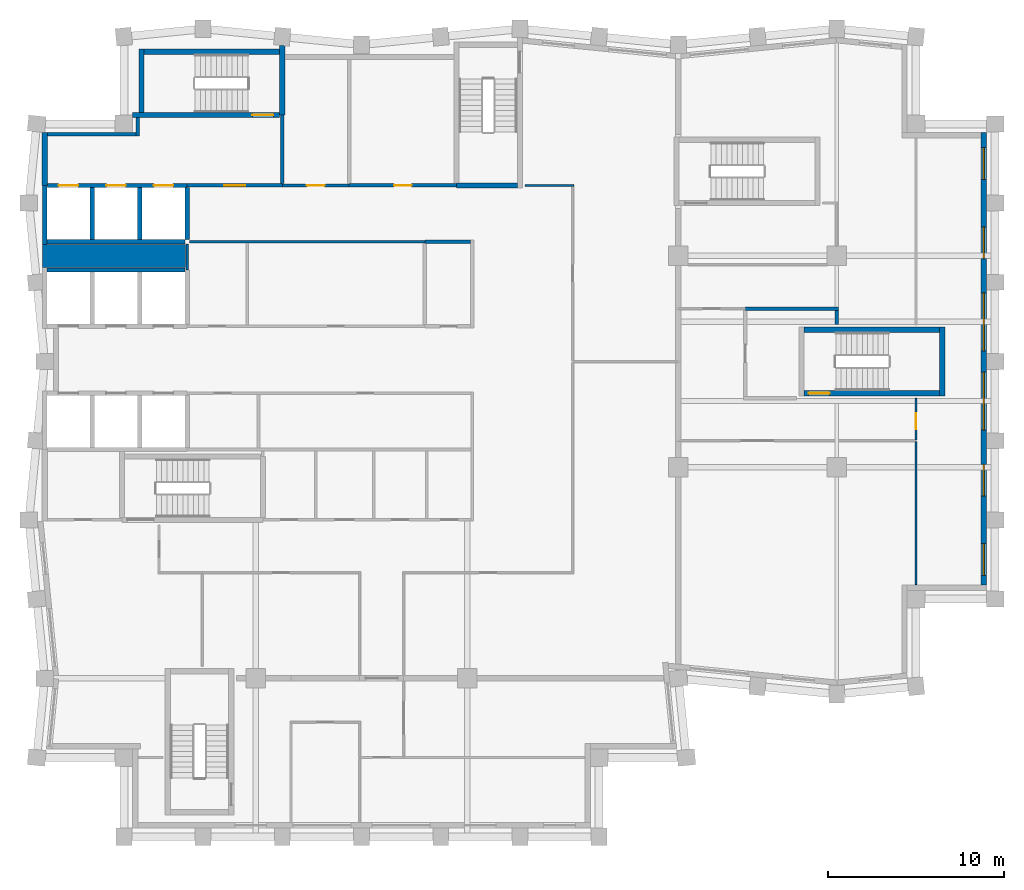
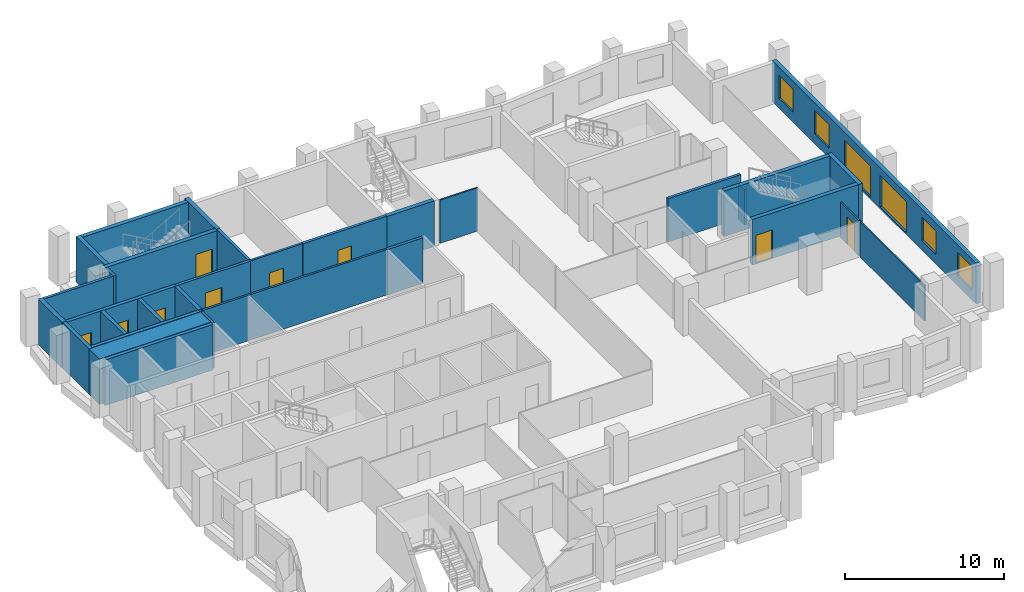
# One storey, part 5 of 8: 32 walls, 9 doors, 6 windows, 15 openings.
"""IFC4 building model written with IfcOpenShell, lengths in metres."""

from ifc_helpers import new_model, si_unit, direction, frame, frame_2d, origin, place, context, subcontext, project, spatial, rectangle, extrude, material, layer, layer_set, type_object, element, fill, save


model = new_model("IFC4")

# Units and contexts
model_context = context("Model", 3, precision=1e-05, world=origin(), true_north=direction((0.0, 1.0)))
body_context = subcontext(model_context, "Body", "Model", "MODEL_VIEW")
ifc_project = project(units=[si_unit("LENGTHUNIT", "METRE"), si_unit("AREAUNIT", "SQUARE_METRE"), si_unit("VOLUMEUNIT", "CUBIC_METRE"), si_unit("PLANEANGLEUNIT", "RADIAN"), si_unit("MASSUNIT", "GRAM", prefix="KILO")], contexts=[model_context])

# Site, building, storey
site_placement = place(None, origin())
site = spatial("IfcSite", under=ifc_project, at=site_placement, CompositionType="ELEMENT")
building_placement = place(site_placement, origin())
building = spatial("IfcBuilding", under=site, at=building_placement, Name="Brondeck Convention Tower", CompositionType="ELEMENT")
storey_placement = place(building_placement, frame((0.0, 0.0, 240.60009765625)))
storey = spatial("IfcBuildingStorey", under=building, at=storey_placement, Name="L59", CompositionType="ELEMENT", Elevation=240.60009765625)

# Walls
ifc_material_1 = material(Name="Concrete C50/60", Category="concrete")
ifc_layer_1 = layer(ifc_material_1, 0.300048828125)
ifc_layer_set_1 = layer_set([ifc_layer_1], Name="Core outer wall 300 Concrete C50/60")
wall_type_1 = type_object("IfcWallType", Name="Core outer wall 300 Concrete C50/60", PredefinedType="SHEAR", material=ifc_layer_set_1)
wall_1_placement = place(storey_placement, frame((0.0, 55.0, 0.0), z_axis=(0.0, 0.0, 1.0), x_axis=(0.0, 1.0, 0.0)))
element("IfcWall", 1, at=wall_1_placement, inside=storey, type_object=wall_type_1, Name="L59 core wall", PredefinedType="SHEAR", context=body_context, shape_type="SweptSolid", body=[
    extrude(rectangle(XDim=3.0, YDim=0.300048828125, at=frame_2d((1.5, 0.0))), origin(), (0.0, 0.0, 1.0), 3.5),
])
ifc_material_2 = material(Name="Fire-rated gypsum board partition")
ifc_layer_2 = layer(ifc_material_2, 0.14990234375)
ifc_layer_set_2 = layer_set([ifc_layer_2], Name="Core partition 150 EI 60")
wall_type_2 = type_object("IfcWallType", Name="Core partition 150 EI 60", PredefinedType="PARTITIONING", material=ifc_layer_set_2)
wall_2_placement = place(storey_placement, frame((8.22509765625, 51.800048828125, 0.0), z_axis=(0.0, 0.0, 1.0), x_axis=(1.0, 0.0, 0.0)))
element("IfcWall", 2, at=wall_2_placement, inside=storey, type_object=wall_type_2, Name="L59 core wall", PredefinedType="PARTITIONING", context=body_context, shape_type="SweptSolid", body=[
    extrude(rectangle(XDim=13.375, YDim=0.14990234375, at=frame_2d((6.6875, 0.0))), origin(), (0.0, 0.0, 1.0), 3.5),
])

# Wall, opening, door
wall_3_placement = place(storey_placement, frame((13.5, 55.0, 0.0), z_axis=(0.0, 0.0, 1.0), x_axis=(1.0, 0.0, 0.0)))
wall_3 = element("IfcWall", 3, at=wall_3_placement, inside=storey, type_object=wall_type_2, Name="L59 core wall", PredefinedType="PARTITIONING", context=body_context, shape_type="SweptSolid", body=[
    extrude(rectangle(XDim=3.800048828125, YDim=0.14990234375, at=frame_2d((1.89990234375, 0.0))), origin(), (0.0, 0.0, 1.0), 3.5),
])
opening_1_placement = place(wall_3_placement, frame((1.39990234375, 0.0, 0.0)))
opening_1 = element("IfcOpeningElement", 4, at=opening_1_placement, cuts=wall_3, Name="Opening C32-12", PredefinedType="OPENING", context=body_context, shape_type="SweptSolid", body=[
    extrude(rectangle(XDim=1.0, YDim=2.10009765625, at=frame_2d((0.5, 1.050048828125))), frame((0.0, 0.0849609375, 0.0), z_axis=(0.0, -1.0, 0.0), x_axis=(1.0, 0.0, 0.0)), (0.0, 0.0, 1.0), 0.169921875),
])
ifc_material_3 = material(Name="Steel fire door", Category="steel")
door_type_1 = type_object("IfcDoorType", Name="Room door 1000x2100 EI 60", OperationType="NOTDEFINED", PredefinedType="DOOR", material=ifc_material_3)
door_1_placement = place(opening_1_placement, origin())
door_1 = element("IfcDoor", 5, at=door_1_placement, inside=storey, type_object=door_type_1, Name="L59 Room door NE-1", OperationType="SINGLE_SWING_LEFT", OverallHeight=2.10009765625, OverallWidth=1.0, PredefinedType="DOOR", context=body_context, shape_type="SweptSolid", body=[
    extrude(rectangle(XDim=1.0, YDim=2.10009765625, at=frame_2d((0.5, 1.050048828125))), frame((0.0, 0.02490234375, 0.0), z_axis=(0.0, -1.0, 0.0), x_axis=(1.0, 0.0, 0.0)), (0.0, 0.0, 1.0), 0.050048828125),
])
fill(opening_1, door_1)

# Walls
wall_4_placement = place(storey_placement, frame((8.10009765625, 50.199951171875, 0.0), z_axis=(0.0, 0.0, 1.0), x_axis=(0.0, 1.0, 0.0)))
element("IfcWall", 6, at=wall_4_placement, inside=storey, type_object=wall_type_2, Name="L59 core wall", PredefinedType="PARTITIONING", context=body_context, shape_type="SweptSolid", body=[
    extrude(rectangle(XDim=1.47509765625, YDim=0.14990234375, at=frame_2d((0.737548828125, 0.0))), origin(), (0.0, 0.0, 1.0), 3.5),
])
ifc_layer_3 = layer(ifc_material_1, 1.300048828125)
ifc_layer_set_3 = layer_set([ifc_layer_3], Name="Core shear wall 1300 Concrete C50/60")
wall_type_3 = type_object("IfcWallType", Name="Core shear wall 1300 Concrete C50/60", PredefinedType="SHEAR", material=ifc_layer_set_3)
wall_5_placement = place(storey_placement, frame((-0.125, 51.0, 0.0), z_axis=(0.0, 0.0, 1.0), x_axis=(1.0, 0.0, 0.0)))
element("IfcWall", 7, at=wall_5_placement, inside=storey, type_object=wall_type_3, Name="L59 core wall", PredefinedType="SHEAR", context=body_context, shape_type="SweptSolid", body=[
    extrude(rectangle(XDim=8.125, YDim=1.300048828125, at=frame_2d((4.0625, 0.0))), origin(), (0.0, 0.0, 1.0), 3.5),
])

# Wall, openings, windows
ifc_material_4 = material(Name="Precast concrete C50/60 bronze finish", Category="concrete")
ifc_layer_4 = layer(ifc_material_4, 0.070068359375, Name="Bronze precast facing")
ifc_material_5 = material(Name="Mineral wool")
ifc_layer_5 = layer(ifc_material_5, 0.159912109375, Name="Insulation")
ifc_material_6 = material(Name="Concrete C35/45", Category="concrete")
ifc_layer_6 = layer(ifc_material_6, 0.070068359375, Name="Backing")
ifc_layer_set_4 = layer_set([ifc_layer_4, ifc_layer_5, ifc_layer_6], Name="External infill wall, precast concrete C50/60 bronze facing")
wall_type_4 = type_object("IfcWallType", Name="External infill wall, precast concrete C50/60 bronze facing", PredefinedType="SOLIDWALL", material=ifc_layer_set_4)
wall_6_placement = place(storey_placement, frame((53.35009765625, 58.0, 0.0), z_axis=(0.0, 0.0, 1.0), x_axis=(0.0, -1.0, 0.0)))
wall_6 = element("IfcWall", 8, at=wall_6_placement, inside=storey, type_object=wall_type_4, Name="ENV-EW-L59-P2-A-E54-01", PredefinedType="SOLIDWALL", context=body_context, shape_type="SweptSolid", body=[
    extrude(rectangle(XDim=25.701904296875, YDim=0.300048828125, at=frame_2d((12.85107421875, 0.0))), origin(), (0.0, 0.0, 1.0), 3.14990234375),
])
opening_2_placement = place(wall_6_placement, frame((0.85009765625, 0.0, 0.75)))
opening_2 = element("IfcOpeningElement", 9, at=opening_2_placement, cuts=wall_6, Name="Opening W10", PredefinedType="OPENING", context=body_context, shape_type="SweptSolid", body=[
    extrude(rectangle(XDim=1.800048828125, YDim=1.800048828125, at=frame_2d((0.89990234375, 0.89990234375))), frame((0.0, 0.159912109375, 0.0), z_axis=(0.0, -1.0, 0.0), x_axis=(1.0, 0.0, 0.0)), (0.0, 0.0, 1.0), 0.320068359375),
])
opening_3_placement = place(wall_6_placement, frame((5.35009765625, 0.0, 0.75)))
opening_3 = element("IfcOpeningElement", 10, at=opening_3_placement, cuts=wall_6, Name="Opening W10", PredefinedType="OPENING", context=body_context, shape_type="SweptSolid", body=[
    extrude(rectangle(XDim=1.800048828125, YDim=1.800048828125, at=frame_2d((0.89990234375, 0.89990234375))), frame((0.0, 0.159912109375, 0.0), z_axis=(0.0, -1.0, 0.0), x_axis=(1.0, 0.0, 0.0)), (0.0, 0.0, 1.0), 0.320068359375),
])
opening_4_placement = place(wall_6_placement, frame((9.10009765625, 0.0, 0.14990234375)))
opening_4 = element("IfcOpeningElement", 11, at=opening_4_placement, cuts=wall_6, Name="Opening W9", PredefinedType="OPENING", context=body_context, shape_type="SweptSolid", body=[
    extrude(rectangle(XDim=3.300048828125, YDim=2.39990234375, at=frame_2d((1.64990234375, 1.199951171875))), frame((0.0, 0.159912109375, 0.0), z_axis=(0.0, -1.0, 0.0), x_axis=(1.0, 0.0, 0.0)), (0.0, 0.0, 1.0), 0.320068359375),
])
opening_5_placement = place(wall_6_placement, frame((13.60009765625, 0.0, 0.14990234375)))
opening_5 = element("IfcOpeningElement", 12, at=opening_5_placement, cuts=wall_6, Name="Opening W9", PredefinedType="OPENING", context=body_context, shape_type="SweptSolid", body=[
    extrude(rectangle(XDim=3.300048828125, YDim=2.39990234375, at=frame_2d((1.64990234375, 1.199951171875))), frame((0.0, 0.159912109375, 0.0), z_axis=(0.0, -1.0, 0.0), x_axis=(1.0, 0.0, 0.0)), (0.0, 0.0, 1.0), 0.320068359375),
])
opening_6_placement = place(wall_6_placement, frame((18.85009765625, 0.0, 0.75)))
opening_6 = element("IfcOpeningElement", 13, at=opening_6_placement, cuts=wall_6, Name="Opening W10", PredefinedType="OPENING", context=body_context, shape_type="SweptSolid", body=[
    extrude(rectangle(XDim=1.800048828125, YDim=1.800048828125, at=frame_2d((0.89990234375, 0.89990234375))), frame((0.0, 0.159912109375, 0.0), z_axis=(0.0, -1.0, 0.0), x_axis=(1.0, 0.0, 0.0)), (0.0, 0.0, 1.0), 0.320068359375),
])
opening_7_placement = place(wall_6_placement, frame((23.35009765625, 0.0, 0.75)))
opening_7 = element("IfcOpeningElement", 14, at=opening_7_placement, cuts=wall_6, Name="Opening W10", PredefinedType="OPENING", context=body_context, shape_type="SweptSolid", body=[
    extrude(rectangle(XDim=1.800048828125, YDim=1.800048828125, at=frame_2d((0.89990234375, 0.89990234375))), frame((0.0, 0.159912109375, 0.0), z_axis=(0.0, -1.0, 0.0), x_axis=(1.0, 0.0, 0.0)), (0.0, 0.0, 1.0), 0.320068359375),
])
ifc_material_7 = material(Name="Bronze tinted double glazing", Category="glass")
window_type_1 = type_object("IfcWindowType", Name="Glazed flute window, bronze tinted", PartitioningType="SINGLE_PANEL", PredefinedType="WINDOW", material=ifc_material_7)
window_1_placement = place(opening_4_placement, origin())
window_1 = element("IfcWindow", 15, at=window_1_placement, inside=storey, type_object=window_type_1, Name="ENV-WN-L59-P2-A-E54-04", OverallHeight=2.39990234375, OverallWidth=3.300048828125, PartitioningType="SINGLE_PANEL", PredefinedType="WINDOW", context=body_context, shape_type="SweptSolid", body=[
    extrude(rectangle(XDim=3.300048828125, YDim=2.39990234375, at=frame_2d((1.64990234375, 1.199951171875))), frame((0.0, 0.030029296875, 0.0), z_axis=(0.0, -1.0, 0.0), x_axis=(1.0, 0.0, 0.0)), (0.0, 0.0, 1.0), 0.06005859375),
])
fill(opening_4, window_1)
window_2_placement = place(opening_5_placement, origin())
window_2 = element("IfcWindow", 16, at=window_2_placement, inside=storey, type_object=window_type_1, Name="ENV-WN-L59-P2-A-E54-03", OverallHeight=2.39990234375, OverallWidth=3.300048828125, PartitioningType="SINGLE_PANEL", PredefinedType="WINDOW", context=body_context, shape_type="SweptSolid", body=[
    extrude(rectangle(XDim=3.300048828125, YDim=2.39990234375, at=frame_2d((1.64990234375, 1.199951171875))), frame((0.0, 0.030029296875, 0.0), z_axis=(0.0, -1.0, 0.0), x_axis=(1.0, 0.0, 0.0)), (0.0, 0.0, 1.0), 0.06005859375),
])
fill(opening_5, window_2)
window_type_2 = type_object("IfcWindowType", Name="Punched window, bronze tinted", PartitioningType="SINGLE_PANEL", PredefinedType="WINDOW", material=ifc_material_7)
window_3_placement = place(opening_2_placement, origin())
window_3 = element("IfcWindow", 17, at=window_3_placement, inside=storey, type_object=window_type_2, Name="ENV-WN-L59-P2-A-E54-06", OverallHeight=1.800048828125, OverallWidth=1.800048828125, PartitioningType="SINGLE_PANEL", PredefinedType="WINDOW", context=body_context, shape_type="SweptSolid", body=[
    extrude(rectangle(XDim=1.800048828125, YDim=1.800048828125, at=frame_2d((0.89990234375, 0.89990234375))), frame((0.0, 0.030029296875, 0.0), z_axis=(0.0, -1.0, 0.0), x_axis=(1.0, 0.0, 0.0)), (0.0, 0.0, 1.0), 0.06005859375),
])
fill(opening_2, window_3)
window_4_placement = place(opening_3_placement, origin())
window_4 = element("IfcWindow", 18, at=window_4_placement, inside=storey, type_object=window_type_2, Name="ENV-WN-L59-P2-A-E54-05", OverallHeight=1.800048828125, OverallWidth=1.800048828125, PartitioningType="SINGLE_PANEL", PredefinedType="WINDOW", context=body_context, shape_type="SweptSolid", body=[
    extrude(rectangle(XDim=1.800048828125, YDim=1.800048828125, at=frame_2d((0.89990234375, 0.89990234375))), frame((0.0, 0.030029296875, 0.0), z_axis=(0.0, -1.0, 0.0), x_axis=(1.0, 0.0, 0.0)), (0.0, 0.0, 1.0), 0.06005859375),
])
fill(opening_3, window_4)
window_5_placement = place(opening_6_placement, origin())
window_5 = element("IfcWindow", 19, at=window_5_placement, inside=storey, type_object=window_type_2, Name="ENV-WN-L59-P2-A-E54-02", OverallHeight=1.800048828125, OverallWidth=1.800048828125, PartitioningType="SINGLE_PANEL", PredefinedType="WINDOW", context=body_context, shape_type="SweptSolid", body=[
    extrude(rectangle(XDim=1.800048828125, YDim=1.800048828125, at=frame_2d((0.89990234375, 0.89990234375))), frame((0.0, 0.030029296875, 0.0), z_axis=(0.0, -1.0, 0.0), x_axis=(1.0, 0.0, 0.0)), (0.0, 0.0, 1.0), 0.06005859375),
])
fill(opening_6, window_5)
window_6_placement = place(opening_7_placement, origin())
window_6 = element("IfcWindow", 20, at=window_6_placement, inside=storey, type_object=window_type_2, Name="ENV-WN-L59-P2-A-E54-01", OverallHeight=1.800048828125, OverallWidth=1.800048828125, PartitioningType="SINGLE_PANEL", PredefinedType="WINDOW", context=body_context, shape_type="SweptSolid", body=[
    extrude(rectangle(XDim=1.800048828125, YDim=1.800048828125, at=frame_2d((0.89990234375, 0.89990234375))), frame((0.0, 0.030029296875, 0.0), z_axis=(0.0, -1.0, 0.0), x_axis=(1.0, 0.0, 0.0)), (0.0, 0.0, 1.0), 0.06005859375),
])
fill(opening_7, window_6)

# Wall, opening, door
ifc_layer_7 = layer(ifc_material_2, 0.199951171875)
ifc_layer_set_5 = layer_set([ifc_layer_7], Name="Firefighting lobby wall 200 EI 120")
wall_type_5 = type_object("IfcWallType", Name="Firefighting lobby wall 200 EI 120", PredefinedType="PARTITIONING", material=ifc_layer_set_5)
wall_7_placement = place(storey_placement, frame((8.10009765625, 55.0, 0.0), z_axis=(0.0, 0.0, 1.0), x_axis=(1.0, 0.0, 0.0)))
wall_7 = element("IfcWall", 21, at=wall_7_placement, inside=storey, type_object=wall_type_5, Name="L59 core wall", PredefinedType="PARTITIONING", context=body_context, shape_type="SweptSolid", body=[
    extrude(rectangle(XDim=5.39990234375, YDim=0.199951171875, at=frame_2d((2.699951171875, 0.0))), origin(), (0.0, 0.0, 1.0), 3.5),
])
opening_8_placement = place(wall_7_placement, frame((2.10009765625, 0.0, 0.0)))
opening_8 = element("IfcOpeningElement", 22, at=opening_8_placement, cuts=wall_7, Name="Opening C32-01", PredefinedType="OPENING", context=body_context, shape_type="SweptSolid", body=[
    extrude(rectangle(XDim=1.199951171875, YDim=2.199951171875, at=frame_2d((0.60009765625, 1.10009765625))), frame((0.0, 0.10986328125, 0.0), z_axis=(0.0, -1.0, 0.0), x_axis=(1.0, 0.0, 0.0)), (0.0, 0.0, 1.0), 0.219970703125),
])
door_type_2 = type_object("IfcDoorType", Name="Firefighting lobby door 1200x2200 EI 120", OperationType="NOTDEFINED", PredefinedType="DOOR", material=ifc_material_3)
door_2_placement = place(opening_8_placement, origin())
door_2 = element("IfcDoor", 23, at=door_2_placement, inside=storey, type_object=door_type_2, Name="L59 Firefighting lobby door FFL-1", OperationType="SINGLE_SWING_RIGHT", OverallHeight=2.199951171875, OverallWidth=1.199951171875, PredefinedType="DOOR", context=body_context, shape_type="SweptSolid", body=[
    extrude(rectangle(XDim=1.199951171875, YDim=2.199951171875, at=frame_2d((0.60009765625, 1.10009765625))), frame((0.0, 0.02490234375, 0.0), z_axis=(0.0, -1.0, 0.0), x_axis=(1.0, 0.0, 0.0)), (0.0, 0.0, 1.0), 0.050048828125),
])
fill(opening_8, door_2)

# Walls
wall_8_placement = place(storey_placement, frame((0.14990234375, 57.89990234375, 0.0), z_axis=(0.0, 0.0, 1.0), x_axis=(1.0, 0.0, 0.0)))
element("IfcWall", 24, at=wall_8_placement, inside=storey, type_object=wall_type_5, Name="L59 core wall", PredefinedType="PARTITIONING", context=body_context, shape_type="SweptSolid", body=[
    extrude(rectangle(XDim=5.050048828125, YDim=0.199951171875, at=frame_2d((2.52490234375, 0.0))), origin(), (0.0, 0.0, 1.0), 3.5),
])
wall_9_placement = place(storey_placement, frame((5.300048828125, 57.800048828125, 0.0), z_axis=(0.0, 0.0, 1.0), x_axis=(0.0, 1.0, 0.0)))
element("IfcWall", 25, at=wall_9_placement, inside=storey, type_object=wall_type_5, Name="L59 core wall", PredefinedType="PARTITIONING", context=body_context, shape_type="SweptSolid", body=[
    extrude(rectangle(XDim=1.050048828125, YDim=0.199951171875, at=frame_2d((0.52490234375, 0.0))), origin(), (0.0, 0.0, 1.0), 3.5),
])
wall_10_placement = place(storey_placement, frame((13.5, 55.10009765625, 0.0), z_axis=(0.0, 0.0, 1.0), x_axis=(0.0, 1.0, 0.0)))
element("IfcWall", 26, at=wall_10_placement, inside=storey, type_object=wall_type_5, Name="L59 core wall", PredefinedType="PARTITIONING", context=body_context, shape_type="SweptSolid", body=[
    extrude(rectangle(XDim=3.89990234375, YDim=0.199951171875, at=frame_2d((1.949951171875, 0.0))), origin(), (0.0, 0.0, 1.0), 3.5),
])
ifc_layer_8 = layer(ifc_material_1, 0.25)
ifc_layer_set_6 = layer_set([ifc_layer_8], Name="Lift shaft wall 250 Concrete C50/60")
wall_type_6 = type_object("IfcWallType", Name="Lift shaft wall 250 Concrete C50/60", PredefinedType="SHEAR", material=ifc_layer_set_6)
for number, where, z_axis, x_axis, name in (
    (27, (0.125, 50.199951171875, 0.0), (0.0, 0.0, 1.0), (1.0, 0.0, 0.0), "L59 core wall"),
    (28, (0.125, 51.800048828125, 0.0), (0.0, 0.0, 1.0), (1.0, 0.0, 0.0), "L59 core wall"),
):
    element("IfcWall", number, at=place(storey_placement, frame(where, z_axis=z_axis, x_axis=x_axis)), inside=storey, type_object=wall_type_6, Name=name, PredefinedType="SHEAR", context=body_context, shape_type="SweptSolid", body=[
        extrude(rectangle(XDim=7.85009765625, YDim=0.25, at=frame_2d((3.925048828125, 0.0))), origin(), (0.0, 0.0, 1.0), 3.5),
    ])

# Wall, openings, doors
wall_11_placement = place(storey_placement, frame((0.14990234375, 55.0, 0.0), z_axis=(0.0, 0.0, 1.0), x_axis=(1.0, 0.0, 0.0)))
wall_11 = element("IfcWall", 29, at=wall_11_placement, inside=storey, type_object=wall_type_6, Name="L59 core wall", PredefinedType="SHEAR", context=body_context, shape_type="SweptSolid", body=[
    extrude(rectangle(XDim=7.9501953125, YDim=0.25, at=frame_2d((3.97509765625, 0.0))), origin(), (0.0, 0.0, 1.0), 3.5),
])
opening_9_placement = place(wall_11_placement, frame((0.64990234375, 0.0, 0.0)))
opening_9 = element("IfcOpeningElement", 30, at=opening_9_placement, cuts=wall_11, Name="Opening C32-20", PredefinedType="OPENING", context=body_context, shape_type="SweptSolid", body=[
    extrude(rectangle(XDim=1.10009765625, YDim=2.10009765625, at=frame_2d((0.550048828125, 1.050048828125))), frame((0.0, 0.135009765625, 0.0), z_axis=(0.0, -1.0, 0.0), x_axis=(1.0, 0.0, 0.0)), (0.0, 0.0, 1.0), 0.27001953125),
])
opening_10_placement = place(wall_11_placement, frame((3.35009765625, 0.0, 0.0)))
opening_10 = element("IfcOpeningElement", 31, at=opening_10_placement, cuts=wall_11, Name="Opening C32-21", PredefinedType="OPENING", context=body_context, shape_type="SweptSolid", body=[
    extrude(rectangle(XDim=1.10009765625, YDim=2.10009765625, at=frame_2d((0.550048828125, 1.050048828125))), frame((0.0, 0.135009765625, 0.0), z_axis=(0.0, -1.0, 0.0), x_axis=(1.0, 0.0, 0.0)), (0.0, 0.0, 1.0), 0.27001953125),
])
opening_11_placement = place(wall_11_placement, frame((6.050048828125, 0.0, 0.0)))
opening_11 = element("IfcOpeningElement", 32, at=opening_11_placement, cuts=wall_11, Name="Opening C32-22", PredefinedType="OPENING", context=body_context, shape_type="SweptSolid", body=[
    extrude(rectangle(XDim=1.10009765625, YDim=2.10009765625, at=frame_2d((0.550048828125, 1.050048828125))), frame((0.0, 0.135009765625, 0.0), z_axis=(0.0, -1.0, 0.0), x_axis=(1.0, 0.0, 0.0)), (0.0, 0.0, 1.0), 0.27001953125),
])
ifc_material_8 = material(Name="Stainless steel lift door", Category="steel")
door_type_3 = type_object("IfcDoorType", Name="Lift landing door 1100x2100 EI 180", OperationType="DOUBLE_DOOR_SLIDING", PredefinedType="DOOR", material=ifc_material_8)
door_3_placement = place(opening_9_placement, origin())
door_3 = element("IfcDoor", 33, at=door_3_placement, inside=storey, type_object=door_type_3, Name="L59 Lift landing door FF1", OperationType="DOUBLE_DOOR_SLIDING", OverallHeight=2.10009765625, OverallWidth=1.10009765625, PredefinedType="DOOR", context=body_context, shape_type="SweptSolid", body=[
    extrude(rectangle(XDim=1.10009765625, YDim=2.10009765625, at=frame_2d((0.550048828125, 1.050048828125))), frame((0.0, 0.02490234375, 0.0), z_axis=(0.0, -1.0, 0.0), x_axis=(1.0, 0.0, 0.0)), (0.0, 0.0, 1.0), 0.050048828125),
])
fill(opening_9, door_3)
door_4_placement = place(opening_10_placement, origin())
door_4 = element("IfcDoor", 34, at=door_4_placement, inside=storey, type_object=door_type_3, Name="L59 Lift landing door FF2", OperationType="DOUBLE_DOOR_SLIDING", OverallHeight=2.10009765625, OverallWidth=1.10009765625, PredefinedType="DOOR", context=body_context, shape_type="SweptSolid", body=[
    extrude(rectangle(XDim=1.10009765625, YDim=2.10009765625, at=frame_2d((0.550048828125, 1.050048828125))), frame((0.0, 0.02490234375, 0.0), z_axis=(0.0, -1.0, 0.0), x_axis=(1.0, 0.0, 0.0)), (0.0, 0.0, 1.0), 0.050048828125),
])
fill(opening_10, door_4)
door_5_placement = place(opening_11_placement, origin())
door_5 = element("IfcDoor", 35, at=door_5_placement, inside=storey, type_object=door_type_3, Name="L59 Lift landing door FF3", OperationType="DOUBLE_DOOR_SLIDING", OverallHeight=2.10009765625, OverallWidth=1.10009765625, PredefinedType="DOOR", context=body_context, shape_type="SweptSolid", body=[
    extrude(rectangle(XDim=1.10009765625, YDim=2.10009765625, at=frame_2d((0.550048828125, 1.050048828125))), frame((0.0, 0.02490234375, 0.0), z_axis=(0.0, -1.0, 0.0), x_axis=(1.0, 0.0, 0.0)), (0.0, 0.0, 1.0), 0.050048828125),
])
fill(opening_11, door_5)

# Walls
wall_12_placement = place(storey_placement, frame((0.0, 51.64990234375, 0.0), z_axis=(0.0, 0.0, 1.0), x_axis=(0.0, 1.0, 0.0)))
element("IfcWall", 36, at=wall_12_placement, inside=storey, type_object=wall_type_6, Name="L59 core wall", PredefinedType="SHEAR", context=body_context, shape_type="SweptSolid", body=[
    extrude(rectangle(XDim=3.35009765625, YDim=0.25, at=frame_2d((1.675048828125, 0.0))), origin(), (0.0, 0.0, 1.0), 3.5),
])
for number, where, z_axis, x_axis, name in (
    (37, (2.699951171875, 51.925048828125, 0.0), (0.0, 0.0, 1.0), (0.0, 1.0, 0.0), "L59 core wall"),
    (38, (5.39990234375, 51.925048828125, 0.0), (0.0, 0.0, 1.0), (0.0, 1.0, 0.0), "L59 core wall"),
    (39, (8.10009765625, 51.925048828125, 0.0), (0.0, 0.0, 1.0), (0.0, 1.0, 0.0), "L59 core wall"),
):
    element("IfcWall", number, at=place(storey_placement, frame(where, z_axis=z_axis, x_axis=x_axis)), inside=storey, type_object=wall_type_6, Name=name, PredefinedType="SHEAR", context=body_context, shape_type="SweptSolid", body=[
        extrude(rectangle(XDim=2.949951171875, YDim=0.25, at=frame_2d((1.47509765625, 0.0))), origin(), (0.0, 0.0, 1.0), 3.5),
    ])
ifc_material_9 = material(Name="Concrete block wall C16/20", Category="concrete")
ifc_layer_9 = layer(ifc_material_9, 0.199951171875)
ifc_layer_set_7 = layer_set([ifc_layer_9], Name="Plant room wall 200")
wall_type_7 = type_object("IfcWallType", Name="Plant room wall 200", PredefinedType="PARTITIONING", material=ifc_layer_set_7)
wall_13_placement = place(storey_placement, frame((45.0, 47.89990234375, 0.0), z_axis=(0.0, 0.0, 1.0), x_axis=(0.0, -1.0, 0.0)))
element("IfcWall", 40, at=wall_13_placement, inside=storey, type_object=wall_type_7, Name="FLR-L59-W040", PredefinedType="PARTITIONING", context=body_context, shape_type="SweptSolid", body=[
    extrude(rectangle(XDim=0.7998046875, YDim=0.199951171875, at=frame_2d((0.39990234375, 0.0))), origin(), (0.0, 0.0, 1.0), 2.72998046875),
])
wall_14_placement = place(storey_placement, frame((39.800048828125, 48.0, 0.0), z_axis=(0.0, 0.0, 1.0), x_axis=(1.0, 0.0, 0.0)))
element("IfcWall", 41, at=wall_14_placement, inside=storey, type_object=wall_type_7, Name="FLR-L59-W042", PredefinedType="PARTITIONING", context=body_context, shape_type="SweptSolid", body=[
    extrude(rectangle(XDim=5.300048828125, YDim=0.199951171875, at=frame_2d((2.64990234375, 0.0))), origin(), (0.0, 0.0, 1.0), 3.329833984375),
])
ifc_layer_10 = layer(ifc_material_2, 0.199951171875)
ifc_layer_set_8 = layer_set([ifc_layer_10], Name="Riser wall 200 EI 120")
wall_type_8 = type_object("IfcWallType", Name="Riser wall 200 EI 120", PredefinedType="PARTITIONING", material=ifc_layer_set_8)
wall_15_placement = place(storey_placement, frame((21.60009765625, 51.800048828125, 0.0), z_axis=(0.0, 0.0, 1.0), x_axis=(1.0, 0.0, 0.0)))
element("IfcWall", 42, at=wall_15_placement, inside=storey, type_object=wall_type_8, Name="L59 core wall", PredefinedType="PARTITIONING", context=body_context, shape_type="SweptSolid", body=[
    extrude(rectangle(XDim=2.599853515625, YDim=0.199951171875, at=frame_2d((1.2998046875, 0.0))), origin(), (0.0, 0.0, 1.0), 3.5),
])

# Wall, opening, door
wall_16_placement = place(storey_placement, frame((17.300048828125, 55.0, 0.0), z_axis=(0.0, 0.0, 1.0), x_axis=(1.0, 0.0, 0.0)))
wall_16 = element("IfcWall", 43, at=wall_16_placement, inside=storey, type_object=wall_type_8, Name="L59 core wall", PredefinedType="PARTITIONING", context=body_context, shape_type="SweptSolid", body=[
    extrude(rectangle(XDim=6.099853515625, YDim=0.199951171875, at=frame_2d((3.0498046875, 0.0))), origin(), (0.0, 0.0, 1.0), 3.5),
])
opening_12_placement = place(wall_16_placement, frame((2.550048828125, 0.0, 0.0)))
opening_12 = element("IfcOpeningElement", 44, at=opening_12_placement, cuts=wall_16, Name="Opening C32-13", PredefinedType="OPENING", context=body_context, shape_type="SweptSolid", body=[
    extrude(rectangle(XDim=1.0, YDim=2.10009765625, at=frame_2d((0.5, 1.050048828125))), frame((0.0, 0.10986328125, 0.0), z_axis=(0.0, -1.0, 0.0), x_axis=(1.0, 0.0, 0.0)), (0.0, 0.0, 1.0), 0.219970703125),
])
door_type_4 = type_object("IfcDoorType", Name="Riser door 1000x2100 EI 120", OperationType="NOTDEFINED", PredefinedType="DOOR", material=ifc_material_3)
door_6_placement = place(opening_12_placement, origin())
door_6 = element("IfcDoor", 45, at=door_6_placement, inside=storey, type_object=door_type_4, Name="L59 Riser door NE-2", OperationType="SINGLE_SWING_RIGHT", OverallHeight=2.10009765625, OverallWidth=1.0, PredefinedType="DOOR", context=body_context, shape_type="SweptSolid", body=[
    extrude(rectangle(XDim=1.0, YDim=2.10009765625, at=frame_2d((0.5, 1.050048828125))), frame((0.0, 0.02490234375, 0.0), z_axis=(0.0, -1.0, 0.0), x_axis=(1.0, 0.0, 0.0)), (0.0, 0.0, 1.0), 0.050048828125),
])
fill(opening_12, door_6)

# Wall
ifc_material_10 = material(Name="Gypsum board partition on steel studs", Category="steel")
ifc_layer_11 = layer(ifc_material_10, 0.10009765625)
ifc_layer_set_9 = layer_set([ifc_layer_11], Name="Room partition 100")
wall_type_9 = type_object("IfcWallType", Name="Room partition 100", PredefinedType="PARTITIONING", material=ifc_layer_set_9)
wall_17_placement = place(storey_placement, frame((49.5, 32.320068359375, 0.0), z_axis=(0.0, 0.0, 1.0), x_axis=(0.0, 1.0, 0.0)))
element("IfcWall", 46, at=wall_17_placement, inside=storey, type_object=wall_type_9, Name="FLR-L59-W023", PredefinedType="PARTITIONING", context=body_context, shape_type="SweptSolid", body=[
    extrude(rectangle(XDim=8.1298828125, YDim=0.10009765625, at=frame_2d((4.06494140625, 0.0))), origin(), (0.0, 0.0, 1.0), 2.72998046875),
])

# Wall, opening, door
wall_18_placement = place(storey_placement, frame((49.5, 42.89990234375, 0.0), z_axis=(0.0, 0.0, 1.0), x_axis=(0.0, -1.0, 0.0)))
wall_18 = element("IfcWall", 47, at=wall_18_placement, inside=storey, type_object=wall_type_9, Name="FLR-L59-W034", PredefinedType="PARTITIONING", context=body_context, shape_type="SweptSolid", body=[
    extrude(rectangle(XDim=2.349853515625, YDim=0.10009765625, at=frame_2d((1.1748046875, 0.0))), origin(), (0.0, 0.0, 1.0), 2.72998046875),
])
opening_13_placement = place(wall_18_placement, frame((0.85009765625, 0.0, 0.0)))
opening_13 = element("IfcOpeningElement", 48, at=opening_13_placement, cuts=wall_18, Name="Opening OF-O-003", PredefinedType="OPENING", context=body_context, shape_type="SweptSolid", body=[
    extrude(rectangle(XDim=0.89990234375, YDim=2.10009765625, at=frame_2d((0.449951171875, 1.050048828125))), frame((0.0, 0.06005859375, 0.0), z_axis=(0.0, -1.0, 0.0), x_axis=(1.0, 0.0, 0.0)), (0.0, 0.0, 1.0), 0.1201171875),
])
ifc_material_11 = material(Name="Solid timber door leaf", Category="wood")
door_type_5 = type_object("IfcDoorType", Name="Single door 900", OperationType="NOTDEFINED", PredefinedType="DOOR", material=ifc_material_11)
door_7_placement = place(opening_13_placement, origin())
door_7 = element("IfcDoor", 49, at=door_7_placement, inside=storey, type_object=door_type_5, Name="Door OF-O-003", OperationType="SINGLE_SWING_LEFT", OverallHeight=2.10009765625, OverallWidth=0.89990234375, PredefinedType="DOOR", context=body_context, shape_type="SweptSolid", body=[
    extrude(rectangle(XDim=0.89990234375, YDim=2.10009765625, at=frame_2d((0.449951171875, 1.050048828125))), frame((0.0, 0.02490234375, 0.0), z_axis=(0.0, -1.0, 0.0), x_axis=(1.0, 0.0, 0.0)), (0.0, 0.0, 1.0), 0.050048828125),
])
fill(opening_13, door_7)

# Wall
wall_19_placement = place(storey_placement, frame((27.300048828125, 55.0, 0.0), z_axis=(0.0, 0.0, 1.0), x_axis=(1.0, 0.0, 0.0)))
element("IfcWall", 50, at=wall_19_placement, inside=storey, type_object=wall_type_9, Name="FLR-L59-W049", PredefinedType="PARTITIONING", context=body_context, shape_type="SweptSolid", body=[
    extrude(rectangle(XDim=2.75, YDim=0.10009765625, at=frame_2d((1.375, 0.0))), origin(), (0.0, 0.0, 1.0), 3.329833984375),
])

# Wall, opening, door
ifc_layer_12 = layer(ifc_material_1, 0.300048828125)
ifc_layer_set_10 = layer_set([ifc_layer_12], Name="Stair enclosure wall 300 Concrete C50/60")
wall_type_10 = type_object("IfcWallType", Name="Stair enclosure wall 300 Concrete C50/60", PredefinedType="SHEAR", material=ifc_layer_set_10)
wall_20_placement = place(storey_placement, frame((43.14990234375, 43.199951171875, 0.0), z_axis=(0.0, 0.0, 1.0), x_axis=(1.0, 0.0, 0.0)))
wall_20 = element("IfcWall", 51, at=wall_20_placement, inside=storey, type_object=wall_type_10, Name="L59 core wall", PredefinedType="SHEAR", context=body_context, shape_type="SweptSolid", body=[
    extrude(rectangle(XDim=7.7001953125, YDim=0.300048828125, at=frame_2d((3.85009765625, 0.0))), origin(), (0.0, 0.0, 1.0), 3.5),
])
opening_14_placement = place(wall_20_placement, frame((0.25, 0.0, 0.0)))
opening_14 = element("IfcOpeningElement", 52, at=opening_14_placement, cuts=wall_20, Name="Opening C32-18", PredefinedType="OPENING", context=body_context, shape_type="SweptSolid", body=[
    extrude(rectangle(XDim=1.199951171875, YDim=2.199951171875, at=frame_2d((0.60009765625, 1.10009765625))), frame((0.0, 0.159912109375, 0.0), z_axis=(0.0, -1.0, 0.0), x_axis=(1.0, 0.0, 0.0)), (0.0, 0.0, 1.0), 0.320068359375),
])
door_type_6 = type_object("IfcDoorType", Name="Stair door 1200x2200 EI 90", OperationType="NOTDEFINED", PredefinedType="DOOR", material=ifc_material_3)
door_8_placement = place(opening_14_placement, origin())
door_8 = element("IfcDoor", 53, at=door_8_placement, inside=storey, type_object=door_type_6, Name="L59 Stair door ST-AF", OperationType="SINGLE_SWING_RIGHT", OverallHeight=2.199951171875, OverallWidth=1.199951171875, PredefinedType="DOOR", context=body_context, shape_type="SweptSolid", body=[
    extrude(rectangle(XDim=1.199951171875, YDim=2.199951171875, at=frame_2d((0.60009765625, 1.10009765625))), frame((0.0, 0.02490234375, 0.0), z_axis=(0.0, -1.0, 0.0), x_axis=(1.0, 0.0, 0.0)), (0.0, 0.0, 1.0), 0.050048828125),
])
fill(opening_14, door_8)

# Walls
wall_21_placement = place(storey_placement, frame((43.14990234375, 46.800048828125, 0.0), z_axis=(0.0, 0.0, 1.0), x_axis=(1.0, 0.0, 0.0)))
element("IfcWall", 54, at=wall_21_placement, inside=storey, type_object=wall_type_10, Name="L59 core wall", PredefinedType="SHEAR", context=body_context, shape_type="SweptSolid", body=[
    extrude(rectangle(XDim=7.7001953125, YDim=0.300048828125, at=frame_2d((3.85009765625, 0.0))), origin(), (0.0, 0.0, 1.0), 3.5),
])
wall_22_placement = place(storey_placement, frame((23.39990234375, 55.0, 0.0), z_axis=(0.0, 0.0, 1.0), x_axis=(1.0, 0.0, 0.0)))
element("IfcWall", 55, at=wall_22_placement, inside=storey, type_object=wall_type_10, Name="L59 core wall", PredefinedType="SHEAR", context=body_context, shape_type="SweptSolid", body=[
    extrude(rectangle(XDim=3.4501953125, YDim=0.300048828125, at=frame_2d((1.72509765625, 0.0))), origin(), (0.0, 0.0, 1.0), 3.5),
])

# Wall, opening, door
wall_23_placement = place(storey_placement, frame((5.0, 59.0, 0.0), z_axis=(0.0, 0.0, 1.0), x_axis=(1.0, 0.0, 0.0)))
wall_23 = element("IfcWall", 56, at=wall_23_placement, inside=storey, type_object=wall_type_10, Name="L59 core wall", PredefinedType="SHEAR", context=body_context, shape_type="SweptSolid", body=[
    extrude(rectangle(XDim=8.35009765625, YDim=0.300048828125, at=frame_2d((4.175048828125, 0.0))), origin(), (0.0, 0.0, 1.0), 3.5),
])
opening_15_placement = place(wall_23_placement, frame((6.800048828125, 0.0, 0.0)))
opening_15 = element("IfcOpeningElement", 57, at=opening_15_placement, cuts=wall_23, Name="Opening C32-16", PredefinedType="OPENING", context=body_context, shape_type="SweptSolid", body=[
    extrude(rectangle(XDim=1.199951171875, YDim=2.199951171875, at=frame_2d((0.60009765625, 1.10009765625))), frame((0.0, 0.159912109375, 0.0), z_axis=(0.0, -1.0, 0.0), x_axis=(1.0, 0.0, 0.0)), (0.0, 0.0, 1.0), 0.320068359375),
])
door_type_7 = type_object("IfcDoorType", Name="Stair door 1200x2200 EI 120", OperationType="NOTDEFINED", PredefinedType="DOOR", material=ifc_material_3)
door_9_placement = place(opening_15_placement, origin())
door_9 = element("IfcDoor", 58, at=door_9_placement, inside=storey, type_object=door_type_7, Name="L59 Stair door ST-3", OperationType="SINGLE_SWING_RIGHT", OverallHeight=2.199951171875, OverallWidth=1.199951171875, PredefinedType="DOOR", context=body_context, shape_type="SweptSolid", body=[
    extrude(rectangle(XDim=1.199951171875, YDim=2.199951171875, at=frame_2d((0.60009765625, 1.10009765625))), frame((0.0, 0.02490234375, 0.0), z_axis=(0.0, -1.0, 0.0), x_axis=(1.0, 0.0, 0.0)), (0.0, 0.0, 1.0), 0.050048828125),
])
fill(opening_15, door_9)

# Walls
wall_24_placement = place(storey_placement, frame((5.64990234375, 62.60009765625, 0.0), z_axis=(0.0, 0.0, 1.0), x_axis=(1.0, 0.0, 0.0)))
element("IfcWall", 59, at=wall_24_placement, inside=storey, type_object=wall_type_10, Name="L59 core wall", PredefinedType="SHEAR", context=body_context, shape_type="SweptSolid", body=[
    extrude(rectangle(XDim=7.7001953125, YDim=0.300048828125, at=frame_2d((3.85009765625, 0.0))), origin(), (0.0, 0.0, 1.0), 3.5),
])
wall_25_placement = place(storey_placement, frame((5.5, 59.14990234375, 0.0), z_axis=(0.0, 0.0, 1.0), x_axis=(0.0, 1.0, 0.0)))
element("IfcWall", 60, at=wall_25_placement, inside=storey, type_object=wall_type_10, Name="L59 core wall", PredefinedType="SHEAR", context=body_context, shape_type="SweptSolid", body=[
    extrude(rectangle(XDim=3.60009765625, YDim=0.300048828125, at=frame_2d((1.800048828125, 0.0))), origin(), (0.0, 0.0, 1.0), 3.5),
])
wall_26_placement = place(storey_placement, frame((13.5, 59.0, 0.0), z_axis=(0.0, 0.0, 1.0), x_axis=(0.0, 1.0, 0.0)))
element("IfcWall", 61, at=wall_26_placement, inside=storey, type_object=wall_type_10, Name="L59 core wall", PredefinedType="SHEAR", context=body_context, shape_type="SweptSolid", body=[
    extrude(rectangle(XDim=3.947509765625, YDim=0.300048828125, at=frame_2d((1.9736328125, 0.0))), origin(), (0.0, 0.0, 1.0), 3.5),
])
wall_27_placement = place(storey_placement, frame((51.0, 43.050048828125, 0.0), z_axis=(0.0, 0.0, 1.0), x_axis=(0.0, 1.0, 0.0)))
element("IfcWall", 62, at=wall_27_placement, inside=storey, type_object=wall_type_10, Name="L59 core wall", PredefinedType="SHEAR", context=body_context, shape_type="SweptSolid", body=[
    extrude(rectangle(XDim=3.89990234375, YDim=0.300048828125, at=frame_2d((1.949951171875, 0.0))), origin(), (0.0, 0.0, 1.0), 3.5),
])

save(model, "model.ifc")
